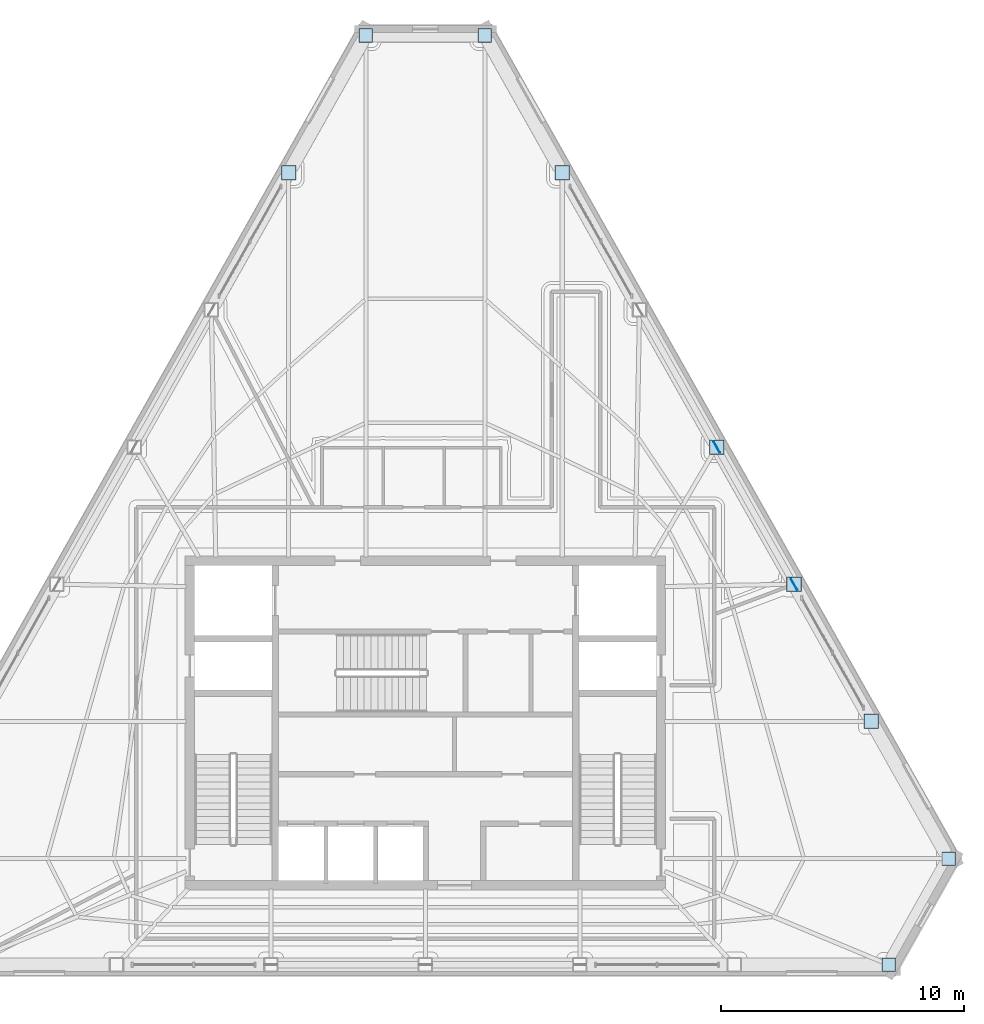
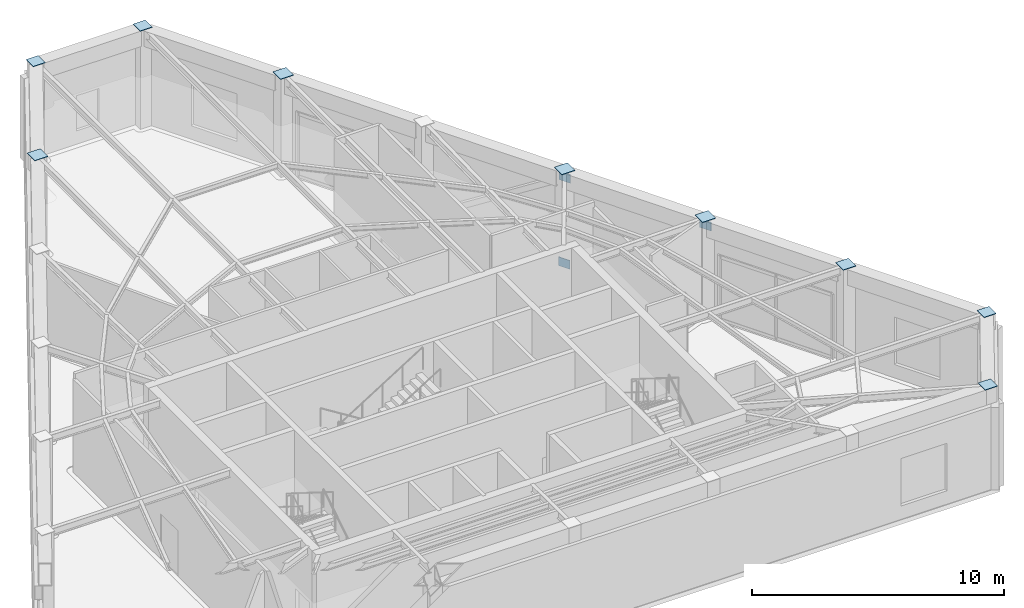
# One storey, part 8 of 15: 12 plates.
"""IFC4 building model written with IfcOpenShell, lengths in metres."""

from ifc_helpers import new_model, si_unit, direction, frame, origin, origin_2d, place, context, subcontext, project, spatial, rectangle, extrude, material, layer, layer_set, type_object, element, save


model = new_model("IFC4")

# Units and contexts
model_context = context("Model", 3, precision=1e-05, world=origin(), true_north=direction((0.0, 1.0)))
body_context = subcontext(model_context, "Body", "Model", "MODEL_VIEW")
ifc_project = project(units=[si_unit("LENGTHUNIT", "METRE"), si_unit("AREAUNIT", "SQUARE_METRE"), si_unit("VOLUMEUNIT", "CUBIC_METRE"), si_unit("PLANEANGLEUNIT", "RADIAN"), si_unit("MASSUNIT", "GRAM", prefix="KILO")], contexts=[model_context])

# Site, building, storey
site_placement = place(None, origin())
site = spatial("IfcSite", under=ifc_project, at=site_placement, CompositionType="ELEMENT")
building_placement = place(site_placement, origin())
building = spatial("IfcBuilding", under=site, at=building_placement, Name="Kavelnor Concourse Tower", CompositionType="ELEMENT")
storey_placement = place(building_placement, frame((0.0, 0.0, 304.949951171875)))
storey = spatial("IfcBuildingStorey", under=building, at=storey_placement, Name="L77", CompositionType="ELEMENT", Elevation=304.949951171875)

# Plates
ifc_material = material(Name="Steel Grade 350", Category="steel")
ifc_layer_1 = layer(ifc_material, 0.031982421875, Name="Steel Grade 350")
ifc_layer_set_1 = layer_set([ifc_layer_1], Name="Steel Grade 350")
plate_type_1 = type_object("IfcPlateType", Name="PL-GUSSET-TUBE-Z1", PredefinedType="USERDEFINED", material=ifc_layer_set_1)
for number, where, z_axis, x_axis, name in (
    (1, (50.00146484375, 27.48291015625, 0.010009765625), (0.0, 0.0, 1.0), (0.490751690644, -0.871299476719, 0.0), "L77 Tube Brace Gusset GP3 F2-B2 End Gusset A"),
    (2, (53.1982421875, 21.806884765625, 4.18505859375), (0.0, 0.0, 1.0), (0.490751690644, -0.871299476719, 0.0), "L77 Tube Brace Gusset GP3 F2-B2 End Gusset B"),
    (3, (50.01318359375, 27.4619140625, 4.18505859375), (0.0, 0.0, 1.0), (0.490751690644, -0.871299476719, 0.0), "L77 Tube Brace Gusset GP3 F2-B3 End Gusset B"),
):
    element("IfcPlate", number, at=place(storey_placement, frame(where, z_axis=z_axis, x_axis=x_axis)), inside=storey, type_object=plate_type_1, Name=name, ObjectType="GUSSET_PLATE", PredefinedType="USERDEFINED", context=body_context, shape_type="SweptSolid", body=[
        extrude(rectangle(XDim=0.52001953125, YDim=0.031982421875, at=origin_2d()), origin(), (0.0, 0.0, 1.0), 0.419921875),
    ])
ifc_layer_2 = layer(ifc_material, 0.02490234375, Name="Steel Grade 350")
ifc_layer_set_2 = layer_set([ifc_layer_2], Name="Steel Grade 350")
plate_type_2 = type_object("IfcPlateType", Name="PL-SPLICE-FLANGE", PredefinedType="SHEET", material=ifc_layer_set_2)
plate_1_placement = place(storey_placement, frame((35.547607421875, 44.437255859375, 4.76708984375), z_axis=(0.0, 0.0, 1.0), x_axis=(1.0, 0.0, 0.0)))
element("IfcPlate", 4, at=plate_1_placement, inside=storey, type_object=plate_type_2, Name="L77 Column Top Cap Plate F0-B0", PredefinedType="SHEET", context=body_context, shape_type="SweptSolid", body=[
    extrude(rectangle(XDim=0.56005859375, YDim=0.56005859375, at=origin_2d()), origin(), (0.0, 0.0, 1.0), 0.02490234375),
])
plate_2_placement = place(storey_placement, frame((32.362548828125, 38.782470703125, 4.76708984375), z_axis=(0.0, 0.0, 1.0), x_axis=(1.0, 0.0, 0.0)))
element("IfcPlate", 5, at=plate_2_placement, inside=storey, type_object=plate_type_2, Name="L77 Column Top Cap Plate F0-B1", PredefinedType="SHEET", context=body_context, shape_type="SweptSolid", body=[
    extrude(rectangle(XDim=0.60009765625, YDim=0.60009765625, at=origin_2d()), origin(), (0.0, 0.0, 1.0), 0.02490234375),
])
for number, where, z_axis, x_axis, name in (
    (6, (57.099609375, 6.135009765625, 4.76708984375), (0.0, 0.0, 1.0), (1.0, 0.0, 0.0), "L77 Column Top Cap Plate F1-B6"),
    (7, (59.562255859375, 10.507568359375, 4.76708984375), (0.0, 0.0, 1.0), (1.0, 0.0, 0.0), "L77 Column Top Cap Plate F2-B0"),
):
    element("IfcPlate", number, at=place(storey_placement, frame(where, z_axis=z_axis, x_axis=x_axis)), inside=storey, type_object=plate_type_2, Name=name, PredefinedType="SHEET", context=body_context, shape_type="SweptSolid", body=[
        extrude(rectangle(XDim=0.56005859375, YDim=0.56005859375, at=origin_2d()), origin(), (0.0, 0.0, 1.0), 0.02490234375),
    ])
for number, where, z_axis, x_axis, name in (
    (8, (56.377197265625, 16.16259765625, 4.76708984375), (0.0, 0.0, 1.0), (1.0, 0.0, 0.0), "L77 Column Top Cap Plate F2-B1"),
    (9, (53.1923828125, 21.8173828125, 4.76708984375), (0.0, 0.0, 1.0), (1.0, 0.0, 0.0), "L77 Column Top Cap Plate F2-B2"),
    (10, (50.00732421875, 27.472412109375, 4.76708984375), (0.0, 0.0, 1.0), (1.0, 0.0, 0.0), "L77 Column Top Cap Plate F2-B3"),
    (11, (43.637451171875, 38.7822265625, 4.76708984375), (0.0, 0.0, 1.0), (1.0, 0.0, 0.0), "L77 Column Top Cap Plate F2-B5"),
):
    element("IfcPlate", number, at=place(storey_placement, frame(where, z_axis=z_axis, x_axis=x_axis)), inside=storey, type_object=plate_type_2, Name=name, PredefinedType="SHEET", context=body_context, shape_type="SweptSolid", body=[
        extrude(rectangle(XDim=0.60009765625, YDim=0.60009765625, at=origin_2d()), origin(), (0.0, 0.0, 1.0), 0.02490234375),
    ])
plate_3_placement = place(storey_placement, frame((40.452392578125, 44.437255859375, 4.76708984375), z_axis=(0.0, 0.0, 1.0), x_axis=(1.0, 0.0, 0.0)))
element("IfcPlate", 12, at=plate_3_placement, inside=storey, type_object=plate_type_2, Name="L77 Column Top Cap Plate F2-B6", PredefinedType="SHEET", context=body_context, shape_type="SweptSolid", body=[
    extrude(rectangle(XDim=0.56005859375, YDim=0.56005859375, at=origin_2d()), origin(), (0.0, 0.0, 1.0), 0.02490234375),
])

save(model, "model.ifc")
